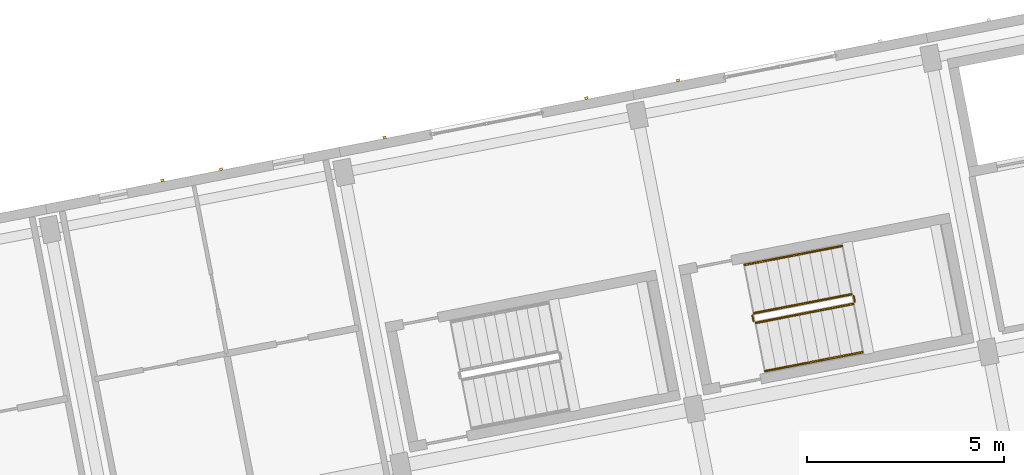
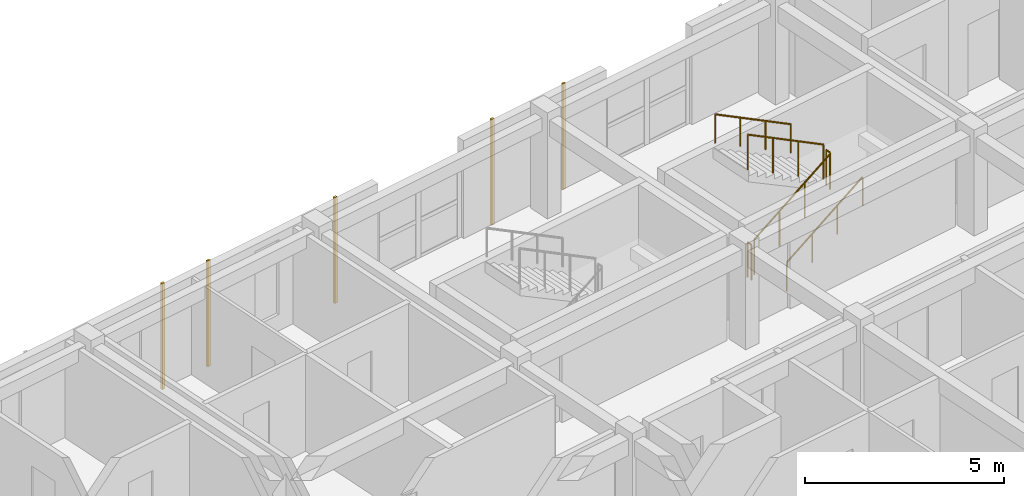
# One storey, part 60 of 65: 6 railings, 5 coverings.
"""IFC4 building model written with IfcOpenShell, lengths in metres."""

from ifc_helpers import new_model, si_unit, direction, frame, origin, origin_2d, place, context, subcontext, project, spatial, rectangle, circle, extrude, material, layer, layer_set, type_object, element, save


model = new_model("IFC4")

# Units and contexts
model_context = context("Model", 3, precision=1e-05, world=origin(), true_north=direction((0.0, 1.0)))
body_context = subcontext(model_context, "Body", "Model", "MODEL_VIEW")
ifc_project = project(units=[si_unit("LENGTHUNIT", "METRE"), si_unit("AREAUNIT", "SQUARE_METRE"), si_unit("VOLUMEUNIT", "CUBIC_METRE"), si_unit("PLANEANGLEUNIT", "RADIAN"), si_unit("MASSUNIT", "GRAM", prefix="KILO")], contexts=[model_context])

# Site, building, storey
site_placement = place(None, origin())
site = spatial("IfcSite", under=ifc_project, at=site_placement, CompositionType="ELEMENT")
building_placement = place(site_placement, origin())
building = spatial("IfcBuilding", under=site, at=building_placement, Name="Kestramere Prow Commons", CompositionType="ELEMENT")
storey_placement = place(building_placement, frame((0.0, 0.0, 21.39990234375)))
storey = spatial("IfcBuildingStorey", under=building, at=storey_placement, Name="L06", CompositionType="ELEMENT", Elevation=21.39990234375)

# Coverings
ifc_material_1 = material(Name="Weathered Zinc-Titanium Standing-Seam Cladding")
ifc_layer = layer(ifc_material_1, 0.074951171875)
ifc_layer_set = layer_set([ifc_layer], Name="Weathered Zinc-Titanium Standing-Seam Cladding")
covering_type = type_object("IfcCoveringType", Name="COV-CLAD-SEAM", PredefinedType="CLADDING", material=ifc_layer_set)
for number, where, z_axis, x_axis, name in (
    (1, (132.435791015625, 57.38525390625, -0.25), (0.0, 0.0, 1.0), (0.981627183448, 0.190808995377, 0.0), "EW-D-L06-N-2 Standing-Seam Rib 2"),
    (2, (133.927734375, 57.67529296875, -0.25), (0.0, 0.0, 1.0), (0.981627183448, 0.190808995377, 0.0), "EW-D-L06-N-2 Standing-Seam Rib 3"),
    (3, (138.07763671875, 58.48193359375, -0.25), (0.0, 0.0, 1.0), (0.981627183448, 0.190808995377, 0.0), "EW-D-L06-NP-3-L Standing-Seam Rib 1"),
    (4, (143.20654296875, 59.47900390625, -0.25), (0.0, 0.0, 1.0), (0.981627183448, 0.190808995377, 0.0), "EW-D-L06-NP-3-R Standing-Seam Rib 1"),
    (5, (145.5380859375, 59.93212890625, -0.25), (0.0, 0.0, 1.0), (0.981627183448, 0.190808995377, 0.0), "EW-D-L06-NP-4-L Standing-Seam Rib 1"),
):
    element("IfcCovering", number, at=place(storey_placement, frame(where, z_axis=z_axis, x_axis=x_axis)), inside=storey, type_object=covering_type, Name=name, PredefinedType="CLADDING", context=body_context, shape_type="SweptSolid", body=[
        extrude(rectangle(XDim=0.0849609375, YDim=0.06494140625, at=origin_2d()), origin(), (0.0, 0.0, 1.0), 3.25),
    ])

# Railings
ifc_material_2 = material(Name="Galvanised Steel S275JR", Category="steel")
railing_type_1 = type_object("IfcRailingType", Name="RL-ST-GR-1100", PredefinedType="GUARDRAIL", material=ifc_material_2)
railing_1_placement = place(storey_placement, frame((147.512939453125, 53.768310546875, 0.16259765625)))
element("IfcRailing", 6, at=railing_1_placement, inside=storey, type_object=railing_type_1, Name="L06 ST-D2 stair guard 1", PredefinedType="GUARDRAIL", context=body_context, shape_type="SweptSolid", body=[
    extrude(circle(Radius=0.02392578125, at=origin_2d()), frame((0.0, 0.0, 1.076171875), z_axis=(0.849020348783, 0.164994183454, 0.501937612437), x_axis=(-0.190765930203, 0.981635553489, 0.0)), (0.0, 0.0, 1.0), 2.91357421875),
    extrude(circle(Radius=0.02099609375, at=origin_2d()), origin(), (0.0, 0.0, 1.0), 1.052001953125),
    extrude(circle(Radius=0.02099609375, at=origin_2d()), frame((0.824462890625, 0.16015625, 0.487548828125)), (0.0, 0.0, 1.0), 1.052001953125),
    extrude(circle(Radius=0.02099609375, at=origin_2d()), frame((1.649169921875, 0.320556640625, 0.974853515625)), (0.0, 0.0, 1.0), 1.052001953125),
    extrude(circle(Radius=0.02099609375, at=origin_2d()), frame((2.4736328125, 0.480712890625, 1.46240234375)), (0.0, 0.0, 1.0), 1.052001953125),
])
railing_2_placement = place(storey_placement, frame((150.026123046875, 54.3076171875, 1.625)))
element("IfcRailing", 7, at=railing_2_placement, inside=storey, type_object=railing_type_1, Name="L06 ST-D2 stair guard 2", PredefinedType="GUARDRAIL", context=body_context, shape_type="SweptSolid", body=[
    extrude(circle(Radius=0.02392578125, at=origin_2d()), frame((0.0, 0.0, 1.076171875), z_axis=(-0.190477468355, 0.981691567677, 0.0), x_axis=(-0.981691567677, -0.190477468355, 0.0)), (0.0, 0.0, 1.0), 0.14990234375),
    extrude(circle(Radius=0.02099609375, at=origin_2d()), origin(), (0.0, 0.0, 1.0), 1.052001953125),
    extrude(circle(Radius=0.02099609375, at=origin_2d()), frame((-0.028564453125, 0.147216796875, 0.0)), (0.0, 0.0, 1.0), 1.052001953125),
])
railing_3_placement = place(storey_placement, frame((149.93896484375, 54.494384765625, 1.78759765625)))
element("IfcRailing", 8, at=railing_3_placement, inside=storey, type_object=railing_type_1, Name="L06 ST-D2 stair guard 3", PredefinedType="GUARDRAIL", context=body_context, shape_type="SweptSolid", body=[
    extrude(circle(Radius=0.02392578125, at=origin_2d()), frame((0.0, 0.0, 1.076171875), z_axis=(-0.849020348783, -0.164994183454, 0.501937612437), x_axis=(0.190765930203, -0.981635553489, 0.0)), (0.0, 0.0, 1.0), 2.91357421875),
    extrude(circle(Radius=0.02099609375, at=origin_2d()), origin(), (0.0, 0.0, 1.0), 1.052001953125),
    extrude(circle(Radius=0.02099609375, at=origin_2d()), frame((-0.824462890625, -0.16015625, 0.487548828125)), (0.0, 0.0, 1.0), 1.052001953125),
    extrude(circle(Radius=0.02099609375, at=origin_2d()), frame((-1.649169921875, -0.320556640625, 0.974853515625)), (0.0, 0.0, 1.0), 1.052001953125),
    extrude(circle(Radius=0.02099609375, at=origin_2d()), frame((-2.4736328125, -0.480712890625, 1.46240234375)), (0.0, 0.0, 1.0), 1.052001953125),
])
railing_4_placement = place(storey_placement, frame((147.454345703125, 53.807861328125, 0.0)))
element("IfcRailing", 9, at=railing_4_placement, inside=storey, type_object=railing_type_1, Name="L06 ST-D2 stair guard 4", PredefinedType="GUARDRAIL", context=body_context, shape_type="SweptSolid", body=[
    extrude(circle(Radius=0.02392578125, at=origin_2d()), frame((0.0, 0.0, 1.076171875), z_axis=(-0.190477468355, 0.981691567677, 0.0), x_axis=(-0.981691567677, -0.190477468355, 0.0)), (0.0, 0.0, 1.0), 0.14990234375),
    extrude(circle(Radius=0.02099609375, at=origin_2d()), origin(), (0.0, 0.0, 1.0), 1.052001953125),
    extrude(circle(Radius=0.02099609375, at=origin_2d()), frame((-0.028564453125, 0.147216796875, 0.0)), (0.0, 0.0, 1.0), 1.052001953125),
])
ifc_material_3 = material(Name="Stainless Steel 304", Category="steel")
railing_type_2 = type_object("IfcRailingType", Name="RL-ST-HR-900", PredefinedType="HANDRAIL", material=ifc_material_3)
railing_5_placement = place(storey_placement, frame((147.75146484375, 52.541259765625, 0.3251953125)))
element("IfcRailing", 10, at=railing_5_placement, inside=storey, type_object=railing_type_2, Name="L06 ST-D2 stair handrail 1", PredefinedType="HANDRAIL", context=body_context, shape_type="SweptSolid", body=[
    extrude(circle(Radius=0.02392578125, at=origin_2d()), frame((0.0, 0.0, 0.8759765625), z_axis=(0.849020348783, 0.164994183454, 0.501937612437), x_axis=(-0.190765930203, 0.981635553489, 0.0)), (0.0, 0.0, 1.0), 2.91357421875),
    extrude(circle(Radius=0.02099609375, at=origin_2d()), origin(), (0.0, 0.0, 1.0), 0.851806640625),
    extrude(circle(Radius=0.02099609375, at=origin_2d()), frame((0.824462890625, 0.16015625, 0.487548828125)), (0.0, 0.0, 1.0), 0.851806640625),
    extrude(circle(Radius=0.02099609375, at=origin_2d()), frame((1.649169921875, 0.320556640625, 0.974853515625)), (0.0, 0.0, 1.0), 0.851806640625),
    extrude(circle(Radius=0.02099609375, at=origin_2d()), frame((2.4736328125, 0.480712890625, 1.46240234375)), (0.0, 0.0, 1.0), 0.851806640625),
])
railing_6_placement = place(storey_placement, frame((149.700439453125, 55.721435546875, 1.9501953125)))
element("IfcRailing", 11, at=railing_6_placement, inside=storey, type_object=railing_type_2, Name="L06 ST-D2 stair handrail 2", PredefinedType="HANDRAIL", context=body_context, shape_type="SweptSolid", body=[
    extrude(circle(Radius=0.02392578125, at=origin_2d()), frame((0.0, 0.0, 0.8759765625), z_axis=(-0.849020348783, -0.164994183454, 0.501937612437), x_axis=(0.190765930203, -0.981635553489, 0.0)), (0.0, 0.0, 1.0), 2.91357421875),
    extrude(circle(Radius=0.02099609375, at=origin_2d()), origin(), (0.0, 0.0, 1.0), 0.851806640625),
    extrude(circle(Radius=0.02099609375, at=origin_2d()), frame((-0.824462890625, -0.16015625, 0.487548828125)), (0.0, 0.0, 1.0), 0.851806640625),
    extrude(circle(Radius=0.02099609375, at=origin_2d()), frame((-1.649169921875, -0.320556640625, 0.974853515625)), (0.0, 0.0, 1.0), 0.851806640625),
    extrude(circle(Radius=0.02099609375, at=origin_2d()), frame((-2.4736328125, -0.480712890625, 1.46240234375)), (0.0, 0.0, 1.0), 0.851806640625),
])

save(model, "model.ifc")
